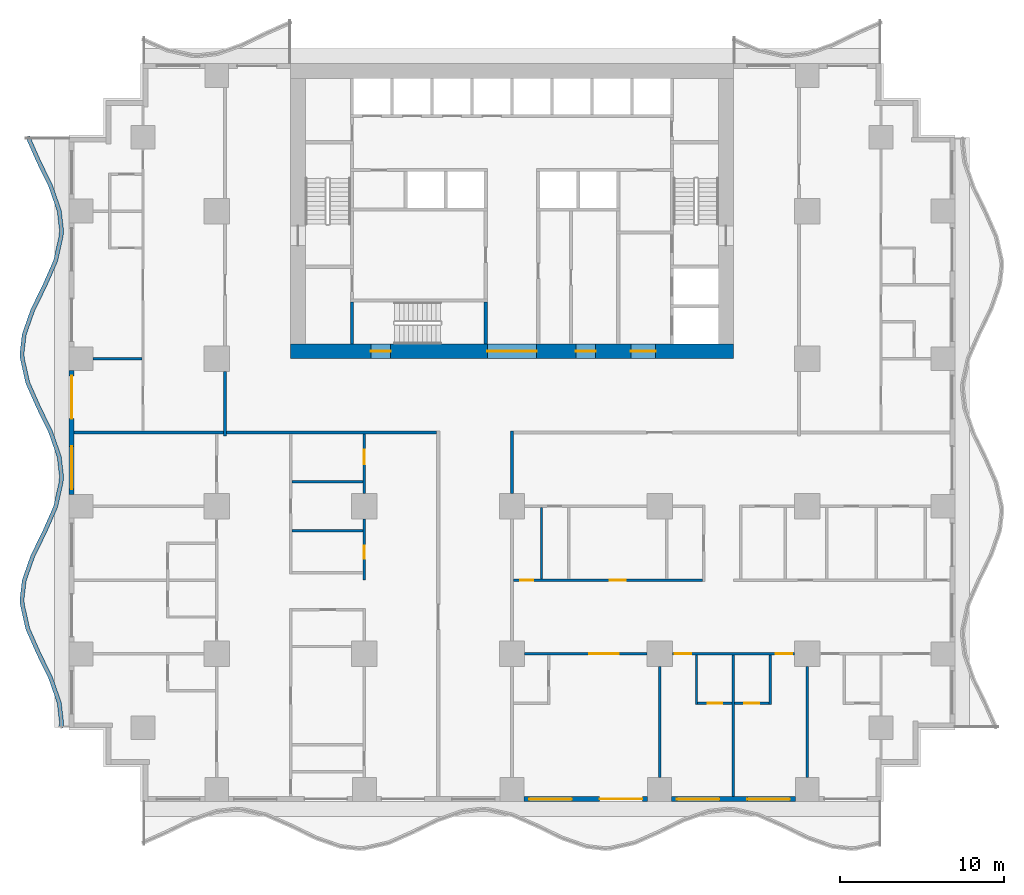
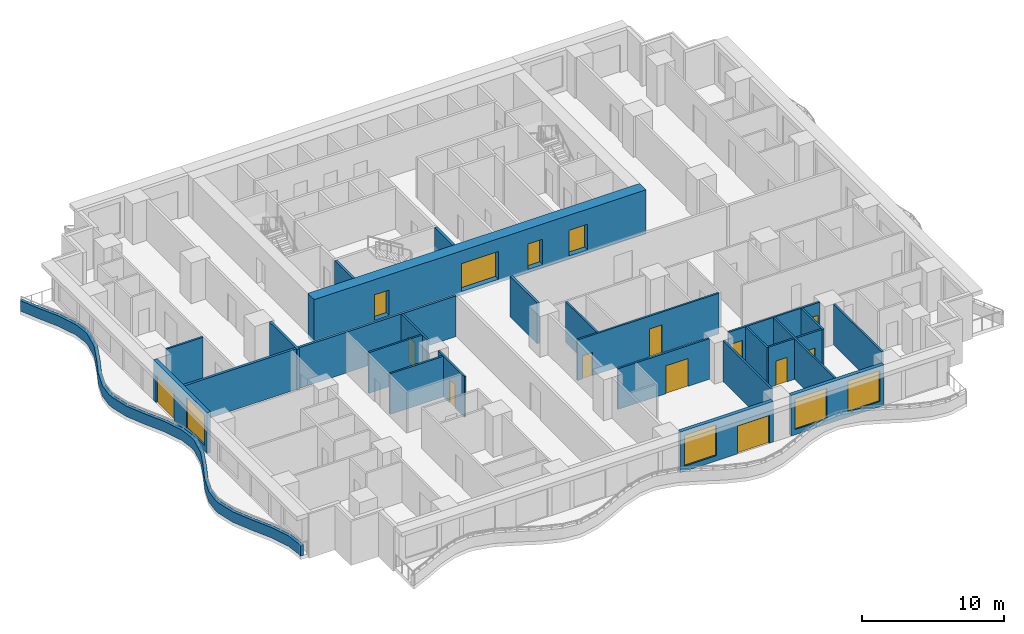
# One storey, part 3 of 14: 27 walls, 15 doors, 4 windows, 19 openings.
"""IFC4 building model written with IfcOpenShell, lengths in metres."""

from ifc_helpers import new_model, si_unit, direction, frame, frame_2d, origin, place, context, subcontext, project, spatial, polyline, rectangle, outline, extrude, material, layer, layer_set, type_object, element, fill, save


model = new_model("IFC4")

# Units and contexts
model_context = context("Model", 3, precision=1e-05, world=origin(), true_north=direction((0.0, 1.0)))
body_context = subcontext(model_context, "Body", "Model", "MODEL_VIEW")
ifc_project = project(units=[si_unit("LENGTHUNIT", "METRE"), si_unit("AREAUNIT", "SQUARE_METRE"), si_unit("VOLUMEUNIT", "CUBIC_METRE"), si_unit("PLANEANGLEUNIT", "RADIAN"), si_unit("MASSUNIT", "GRAM", prefix="KILO")], contexts=[model_context])

# Site, building, storey
site_placement = place(None, origin())
site = spatial("IfcSite", under=ifc_project, at=site_placement, CompositionType="ELEMENT")
building_placement = place(site_placement, origin())
building = spatial("IfcBuilding", under=site, at=building_placement, Name="Orbiselva Terraces", CompositionType="ELEMENT")
storey_placement = place(building_placement, frame((0.0, 0.0, 26.4)))
storey = spatial("IfcBuildingStorey", under=building, at=storey_placement, Name="L06", CompositionType="ELEMENT", Elevation=26.4)

# Wall, openings, doors
ifc_material_1 = material(Name="Concrete C80/95", Category="concrete")
ifc_layer_1 = layer(ifc_material_1, 0.9)
ifc_layer_set_1 = layer_set([ifc_layer_1], Name="Concrete C80/95")
wall_type_1 = type_object("IfcWallType", Name="CORE WALL 900", PredefinedType="SHEAR", material=ifc_layer_set_1)
wall_1_placement = place(storey_placement, frame((-13.5, 4.95, -0.3), z_axis=(0.0, 0.0, 1.0), x_axis=(1.0, 0.0, 0.0)))
wall_1 = element("IfcWall", 1, at=wall_1_placement, inside=storey, type_object=wall_type_1, Name="Core wall L06 south", PredefinedType="SHEAR", context=body_context, shape_type="SweptSolid", body=[
    extrude(rectangle(XDim=27.0, YDim=0.9, at=frame_2d((13.5, 0.0))), origin(), (0.0, 0.0, 1.0), 3.8),
])
opening_1_placement = place(wall_1_placement, frame((12.0, 0.0, 0.3)))
opening_1 = element("IfcOpeningElement", 2, at=opening_1_placement, cuts=wall_1, Name="Opening DL3000", PredefinedType="OPENING", context=body_context, shape_type="SweptSolid", body=[
    extrude(rectangle(XDim=3.0, YDim=2.4, at=frame_2d((1.5, 1.2))), frame((0.0, 0.46, 0.0), z_axis=(0.0, -1.0, 0.0), x_axis=(1.0, 0.0, 0.0)), (0.0, 0.0, 1.0), 0.92),
])
opening_2_placement = place(wall_1_placement, frame((4.9, 0.0, 0.3)))
opening_2 = element("IfcOpeningElement", 3, at=opening_2_placement, cuts=wall_1, Name="Opening DS1200", PredefinedType="OPENING", context=body_context, shape_type="SweptSolid", body=[
    extrude(rectangle(XDim=1.2, YDim=2.2, at=frame_2d((0.6, 1.1))), frame((0.0, 0.46, 0.0), z_axis=(0.0, -1.0, 0.0), x_axis=(1.0, 0.0, 0.0)), (0.0, 0.0, 1.0), 0.92),
])
opening_3_placement = place(wall_1_placement, frame((20.75, 0.0, 0.3)))
opening_3 = element("IfcOpeningElement", 4, at=opening_3_placement, cuts=wall_1, Name="Opening DF1500", PredefinedType="OPENING", context=body_context, shape_type="SweptSolid", body=[
    extrude(rectangle(XDim=1.5, YDim=2.2, at=frame_2d((0.75, 1.1))), frame((0.0, 0.46, 0.0), z_axis=(0.0, -1.0, 0.0), x_axis=(1.0, 0.0, 0.0)), (0.0, 0.0, 1.0), 0.92),
])
opening_4_placement = place(wall_1_placement, frame((17.4, 0.0, 0.3)))
opening_4 = element("IfcOpeningElement", 5, at=opening_4_placement, cuts=wall_1, Name="Opening DV1200", PredefinedType="OPENING", context=body_context, shape_type="SweptSolid", body=[
    extrude(rectangle(XDim=1.2, YDim=2.2, at=frame_2d((0.6, 1.1))), frame((0.0, 0.46, 0.0), z_axis=(0.0, -1.0, 0.0), x_axis=(1.0, 0.0, 0.0)), (0.0, 0.0, 1.0), 0.92),
])
ifc_material_2 = material(Name="Steel fire door", Category="steel")
door_type_1 = type_object("IfcDoorType", Name="FFL DOOR 1500", OperationType="DOUBLE_DOOR_SINGLE_SWING", PredefinedType="DOOR", material=ifc_material_2)
door_1_placement = place(opening_3_placement, frame((1.5, 0.0, 0.0), z_axis=(0.0, 0.0, 1.0), x_axis=(-1.0, 0.0, 0.0)))
door_1 = element("IfcDoor", 6, at=door_1_placement, inside=storey, type_object=door_type_1, Name="L06 FIRE-FIGHTING LOBBY door", OperationType="DOUBLE_DOOR_SINGLE_SWING", OverallHeight=2.2, OverallWidth=1.5, PredefinedType="DOOR", context=body_context, shape_type="SweptSolid", body=[
    extrude(rectangle(XDim=1.5, YDim=2.2, at=frame_2d((0.75, 1.1))), frame((0.0, 0.025, 0.0), z_axis=(0.0, -1.0, 0.0), x_axis=(1.0, 0.0, 0.0)), (0.0, 0.0, 1.0), 0.05),
])
fill(opening_3, door_1)
door_type_2 = type_object("IfcDoorType", Name="LOBBY DOOR 3000", OperationType="DOUBLE_DOOR_SINGLE_SWING", PredefinedType="DOOR", material=ifc_material_2)
door_2_placement = place(opening_1_placement, frame((3.0, 0.0, 0.0), z_axis=(0.0, 0.0, 1.0), x_axis=(-1.0, 0.0, 0.0)))
door_2 = element("IfcDoor", 7, at=door_2_placement, inside=storey, type_object=door_type_2, Name="L06 LIFT LOBBY door", OperationType="DOUBLE_DOOR_SINGLE_SWING", OverallHeight=2.4, OverallWidth=3.0, PredefinedType="DOOR", context=body_context, shape_type="SweptSolid", body=[
    extrude(rectangle(XDim=3.0, YDim=2.4, at=frame_2d((1.5, 1.2))), frame((0.0, 0.025, 0.0), z_axis=(0.0, -1.0, 0.0), x_axis=(1.0, 0.0, 0.0)), (0.0, 0.0, 1.0), 0.05),
])
fill(opening_1, door_2)
door_type_3 = type_object("IfcDoorType", Name="SERVICE DOOR 1200", OperationType="NOTDEFINED", PredefinedType="DOOR", material=ifc_material_2)
door_3_placement = place(opening_4_placement, frame((1.2, 0.0, 0.0), z_axis=(0.0, 0.0, 1.0), x_axis=(-1.0, 0.0, 0.0)))
door_3 = element("IfcDoor", 8, at=door_3_placement, inside=storey, type_object=door_type_3, Name="L06 SERVICE ROOM door", OperationType="SINGLE_SWING_RIGHT", OverallHeight=2.2, OverallWidth=1.2, PredefinedType="DOOR", context=body_context, shape_type="SweptSolid", body=[
    extrude(rectangle(XDim=1.2, YDim=2.2, at=frame_2d((0.6, 1.1))), frame((0.0, 0.025, 0.0), z_axis=(0.0, -1.0, 0.0), x_axis=(1.0, 0.0, 0.0)), (0.0, 0.0, 1.0), 0.05),
])
fill(opening_4, door_3)
door_type_4 = type_object("IfcDoorType", Name="STAIR DOOR 1200", OperationType="NOTDEFINED", PredefinedType="DOOR", material=ifc_material_2)
door_4_placement = place(opening_2_placement, frame((1.2, 0.0, 0.0), z_axis=(0.0, 0.0, 1.0), x_axis=(-1.0, 0.0, 0.0)))
door_4 = element("IfcDoor", 9, at=door_4_placement, inside=storey, type_object=door_type_4, Name="L06 EXIT STAIR S3 door", OperationType="SINGLE_SWING_LEFT", OverallHeight=2.2, OverallWidth=1.2, PredefinedType="DOOR", context=body_context, shape_type="SweptSolid", body=[
    extrude(rectangle(XDim=1.2, YDim=2.2, at=frame_2d((0.6, 1.1))), frame((0.0, 0.025, 0.0), z_axis=(0.0, -1.0, 0.0), x_axis=(1.0, 0.0, 0.0)), (0.0, 0.0, 1.0), 0.05),
])
fill(opening_2, door_4)

# Walls
ifc_material_3 = material(Name="Concrete C60/75", Category="concrete")
ifc_layer_2 = layer(ifc_material_3, 0.2)
ifc_layer_set_2 = layer_set([ifc_layer_2], Name="Concrete C60/75")
wall_type_2 = type_object("IfcWallType", Name="CORE-WALL-SHEAR-200", PredefinedType="SHEAR", material=ifc_layer_set_2)
for number, where, z_axis, x_axis, name in (
    (10, (-9.75, 5.4, 0.0), (0.0, 0.0, 1.0), (0.0, 1.0, 0.0), "L06 core wall 03"),
    (11, (-1.6, 5.4, 0.0), (0.0, 0.0, 1.0), (0.0, 1.0, 0.0), "L06 core wall 19"),
):
    element("IfcWall", number, at=place(storey_placement, frame(where, z_axis=z_axis, x_axis=x_axis)), inside=storey, type_object=wall_type_2, Name=name, PredefinedType="SHEAR", context=body_context, shape_type="SweptSolid", body=[
        extrude(rectangle(XDim=2.55, YDim=0.2, at=frame_2d((1.275, 0.0))), origin(), (0.0, 0.0, 1.0), 3.5),
    ])
ifc_material_4 = material(Name="Concrete C40/50", Category="concrete")
ifc_layer_3 = layer(ifc_material_4, 0.25)
ifc_layer_set_3 = layer_set([ifc_layer_3], Name="Concrete C40/50")
wall_type_3 = type_object("IfcWallType", Name="ENV-PLANTER-250x900", PredefinedType="USERDEFINED", material=ifc_layer_set_3)
wall_2_placement = place(storey_placement, origin())
element("IfcWall", 12, at=wall_2_placement, inside=storey, type_object=wall_type_3, Name="Balcony planter L06 W", ObjectType="PLANTER", PredefinedType="USERDEFINED", context=body_context, shape_type="SweptSolid", body=[
    extrude(outline(polyline([(-29.648528, 18.0), (-28.987721, 16.5), (-28.255211, 15.0), (-27.730792, 13.5), (-27.6, 12.375), (-27.614774, 12.0), (-27.951472, 10.5), (-28.612279, 9.0), (-29.344789, 7.5), (-29.869208, 6.0), (-30.0, 4.875), (-29.985226, 4.5), (-29.648528, 3.0), (-28.987721, 1.5), (-28.255211, 0.0), (-27.730792, -1.5), (-27.6, -2.625), (-27.614774, -3.0), (-27.951472, -4.5), (-28.612279, -6.0), (-29.344789, -7.5), (-29.869208, -9.0), (-30.0, -10.125), (-29.985226, -10.5), (-29.648528, -12.0), (-28.987721, -13.5), (-28.255211, -15.0), (-27.730792, -16.5), (-27.6, -17.625), (-27.614774, -18.0), (-27.364968, -18.009842), (-27.349429, -17.615428), (-27.485662, -16.443629), (-28.024089, -14.90356), (-28.760919, -13.394714), (-29.40993, -11.921492), (-29.736315, -10.467435), (-29.749429, -10.134572), (-29.624078, -9.056371), (-29.113667, -7.59644), (-28.385477, -6.105286), (-27.712874, -4.578508), (-27.365863, -3.032565), (-27.349429, -2.615428), (-27.485662, -1.443629), (-28.024089, 0.09644), (-28.760919, 1.605286), (-29.40993, 3.078508), (-29.736315, 4.532565), (-29.749429, 4.865428), (-29.624078, 5.943629), (-29.113667, 7.40356), (-28.385477, 8.894714), (-27.712874, 10.421492), (-27.365863, 11.967435), (-27.349429, 12.384572), (-27.485662, 13.556371), (-28.024089, 15.09644), (-28.760919, 16.605286), (-29.419745, 18.100788), (-29.648528, 18.0)])), origin(), (0.0, 0.0, 1.0), 0.9),
])

# Wall, openings, door, window
ifc_material_5 = material(Name="Terracotta cladding on masonry backing", Category="masonry")
ifc_layer_4 = layer(ifc_material_5, 0.3)
ifc_layer_set_4 = layer_set([ifc_layer_4], Name="Terracotta cladding on masonry backing")
wall_type_4 = type_object("IfcWallType", Name="ENV-WALL-TERRACOTTA-300", PredefinedType="SOLIDWALL", material=ifc_layer_set_4)
wall_3_placement = place(storey_placement, frame((8.275, -22.35, 0.0), z_axis=(0.0, 0.0, 1.0), x_axis=(-1.0, 0.0, 0.0)))
wall_3 = element("IfcWall", 13, at=wall_3_placement, inside=storey, type_object=wall_type_4, Name="Facade wall L06 S", PredefinedType="SOLIDWALL", context=body_context, shape_type="SweptSolid", body=[
    extrude(rectangle(XDim=7.55, YDim=0.3, at=frame_2d((3.775, 0.0))), origin(), (0.0, 0.0, 1.0), 3.5),
])
opening_5_placement = place(wall_3_placement, frame((4.625, 0.0, 0.45)))
opening_5 = element("IfcOpeningElement", 14, at=opening_5_placement, cuts=wall_3, Name="Opening WN1", PredefinedType="OPENING", context=body_context, shape_type="SweptSolid", body=[
    extrude(rectangle(XDim=2.6, YDim=2.65, at=frame_2d((1.3, 1.325))), frame((0.0, 0.16, 0.0), z_axis=(0.0, -1.0, 0.0), x_axis=(1.0, 0.0, 0.0)), (0.0, 0.0, 1.0), 0.32),
])
opening_6_placement = place(wall_3_placement, frame((0.325, 0.0, 0.0)))
opening_6 = element("IfcOpeningElement", 15, at=opening_6_placement, cuts=wall_3, Name="Opening Z1-B-E03", PredefinedType="OPENING", context=body_context, shape_type="SweptSolid", body=[
    extrude(rectangle(XDim=2.6, YDim=2.4, at=frame_2d((1.3, 1.2))), frame((0.0, 0.16, 0.0), z_axis=(0.0, -1.0, 0.0), x_axis=(1.0, 0.0, 0.0)), (0.0, 0.0, 1.0), 0.32),
])
ifc_material_6 = material(Name="Clear low-e glazing in aluminium frame", Category="aluminium")
door_type_5 = type_object("IfcDoorType", Name="BALCONY DOOR 2600 X 2400", OperationType="DOUBLE_DOOR_SLIDING", PredefinedType="DOOR", material=ifc_material_6)
door_5_placement = place(opening_6_placement, origin())
door_5 = element("IfcDoor", 16, at=door_5_placement, inside=storey, type_object=door_type_5, Name="Z1-B-E03", OperationType="SINGLE_SWING_LEFT", OverallHeight=2.4, OverallWidth=2.6, PredefinedType="DOOR", context=body_context, shape_type="SweptSolid", body=[
    extrude(rectangle(XDim=2.6, YDim=2.4, at=frame_2d((1.3, 1.2))), frame((0.0, 0.025, 0.0), z_axis=(0.0, -1.0, 0.0), x_axis=(1.0, 0.0, 0.0)), (0.0, 0.0, 1.0), 0.05),
])
fill(opening_6, door_5)
window_type = type_object("IfcWindowType", Name="WINDOW 2600 X 2650 S450", PartitioningType="TRIPLE_PANEL_VERTICAL", PredefinedType="WINDOW", material=ifc_material_6)
window_1_placement = place(opening_5_placement, origin())
window_1 = element("IfcWindow", 17, at=window_1_placement, inside=storey, type_object=window_type, Name="Window L06 S", OverallHeight=2.65, OverallWidth=2.6, PartitioningType="SINGLE_PANEL", PredefinedType="WINDOW", context=body_context, shape_type="SweptSolid", body=[
    extrude(rectangle(XDim=2.6, YDim=2.65, at=frame_2d((1.3, 1.325))), frame((0.0, 0.03, 0.0), z_axis=(0.0, -1.0, 0.0), x_axis=(1.0, 0.0, 0.0)), (0.0, 0.0, 1.0), 0.06),
])
fill(opening_5, window_1)

# Wall, openings, windows
wall_4_placement = place(storey_placement, frame((17.275, -22.35, 0.0), z_axis=(0.0, 0.0, 1.0), x_axis=(-1.0, 0.0, 0.0)))
wall_4 = element("IfcWall", 18, at=wall_4_placement, inside=storey, type_object=wall_type_4, Name="Facade wall L06 S", PredefinedType="SOLIDWALL", context=body_context, shape_type="SweptSolid", body=[
    extrude(rectangle(XDim=7.55, YDim=0.3, at=frame_2d((3.775, 0.0))), origin(), (0.0, 0.0, 1.0), 3.5),
])
opening_7_placement = place(wall_4_placement, frame((4.625, 0.0, 0.45)))
opening_7 = element("IfcOpeningElement", 19, at=opening_7_placement, cuts=wall_4, Name="Opening WN1", PredefinedType="OPENING", context=body_context, shape_type="SweptSolid", body=[
    extrude(rectangle(XDim=2.6, YDim=2.65, at=frame_2d((1.3, 1.325))), frame((0.0, 0.16, 0.0), z_axis=(0.0, -1.0, 0.0), x_axis=(1.0, 0.0, 0.0)), (0.0, 0.0, 1.0), 0.32),
])
opening_8_placement = place(wall_4_placement, frame((0.325, 0.0, 0.45)))
opening_8 = element("IfcOpeningElement", 20, at=opening_8_placement, cuts=wall_4, Name="Opening WN1", PredefinedType="OPENING", context=body_context, shape_type="SweptSolid", body=[
    extrude(rectangle(XDim=2.6, YDim=2.65, at=frame_2d((1.3, 1.325))), frame((0.0, 0.16, 0.0), z_axis=(0.0, -1.0, 0.0), x_axis=(1.0, 0.0, 0.0)), (0.0, 0.0, 1.0), 0.32),
])
window_2_placement = place(opening_7_placement, origin())
window_2 = element("IfcWindow", 21, at=window_2_placement, inside=storey, type_object=window_type, Name="Window L06 S", OverallHeight=2.65, OverallWidth=2.6, PartitioningType="SINGLE_PANEL", PredefinedType="WINDOW", context=body_context, shape_type="SweptSolid", body=[
    extrude(rectangle(XDim=2.6, YDim=2.65, at=frame_2d((1.3, 1.325))), frame((0.0, 0.03, 0.0), z_axis=(0.0, -1.0, 0.0), x_axis=(1.0, 0.0, 0.0)), (0.0, 0.0, 1.0), 0.06),
])
fill(opening_7, window_2)
window_3_placement = place(opening_8_placement, origin())
window_3 = element("IfcWindow", 22, at=window_3_placement, inside=storey, type_object=window_type, Name="Window L06 S", OverallHeight=2.65, OverallWidth=2.6, PartitioningType="SINGLE_PANEL", PredefinedType="WINDOW", context=body_context, shape_type="SweptSolid", body=[
    extrude(rectangle(XDim=2.6, YDim=2.65, at=frame_2d((1.3, 1.325))), frame((0.0, 0.03, 0.0), z_axis=(0.0, -1.0, 0.0), x_axis=(1.0, 0.0, 0.0)), (0.0, 0.0, 1.0), 0.06),
])
fill(opening_8, window_3)

# Wall, openings, door, window
wall_5_placement = place(storey_placement, frame((-26.85, -3.775, 0.0), z_axis=(0.0, 0.0, 1.0), x_axis=(0.0, 1.0, 0.0)))
wall_5 = element("IfcWall", 23, at=wall_5_placement, inside=storey, type_object=wall_type_4, Name="Facade wall L06 W", PredefinedType="SOLIDWALL", context=body_context, shape_type="SweptSolid", body=[
    extrude(rectangle(XDim=7.55, YDim=0.3, at=frame_2d((3.775, 0.0))), origin(), (0.0, 0.0, 1.0), 3.5),
])
opening_9_placement = place(wall_5_placement, frame((4.625, 0.0, 0.0)))
opening_9 = element("IfcOpeningElement", 24, at=opening_9_placement, cuts=wall_5, Name="Opening Z1-B-E11", PredefinedType="OPENING", context=body_context, shape_type="SweptSolid", body=[
    extrude(rectangle(XDim=2.6, YDim=2.4, at=frame_2d((1.3, 1.2))), frame((0.0, 0.16, 0.0), z_axis=(0.0, -1.0, 0.0), x_axis=(1.0, 0.0, 0.0)), (0.0, 0.0, 1.0), 0.32),
])
opening_10_placement = place(wall_5_placement, frame((0.325, 0.0, 0.45)))
opening_10 = element("IfcOpeningElement", 25, at=opening_10_placement, cuts=wall_5, Name="Opening WN1", PredefinedType="OPENING", context=body_context, shape_type="SweptSolid", body=[
    extrude(rectangle(XDim=2.6, YDim=2.65, at=frame_2d((1.3, 1.325))), frame((0.0, 0.16, 0.0), z_axis=(0.0, -1.0, 0.0), x_axis=(1.0, 0.0, 0.0)), (0.0, 0.0, 1.0), 0.32),
])
door_6_placement = place(opening_9_placement, origin())
door_6 = element("IfcDoor", 26, at=door_6_placement, inside=storey, type_object=door_type_5, Name="Z1-B-E11", OperationType="SINGLE_SWING_LEFT", OverallHeight=2.4, OverallWidth=2.6, PredefinedType="DOOR", context=body_context, shape_type="SweptSolid", body=[
    extrude(rectangle(XDim=2.6, YDim=2.4, at=frame_2d((1.3, 1.2))), frame((0.0, 0.025, 0.0), z_axis=(0.0, -1.0, 0.0), x_axis=(1.0, 0.0, 0.0)), (0.0, 0.0, 1.0), 0.05),
])
fill(opening_9, door_6)
window_4_placement = place(opening_10_placement, origin())
window_4 = element("IfcWindow", 27, at=window_4_placement, inside=storey, type_object=window_type, Name="Window L06 W", OverallHeight=2.65, OverallWidth=2.6, PartitioningType="SINGLE_PANEL", PredefinedType="WINDOW", context=body_context, shape_type="SweptSolid", body=[
    extrude(rectangle(XDim=2.6, YDim=2.65, at=frame_2d((1.3, 1.325))), frame((0.0, 0.03, 0.0), z_axis=(0.0, -1.0, 0.0), x_axis=(1.0, 0.0, 0.0)), (0.0, 0.0, 1.0), 0.06),
])
fill(opening_10, window_4)

# Walls
ifc_material_7 = material(Name="Plasterboard on steel stud partition", Category="steel")
ifc_layer_5 = layer(ifc_material_7, 0.2)
ifc_layer_set_5 = layer_set([ifc_layer_5], Name="Plasterboard on steel stud partition")
wall_type_5 = type_object("IfcWallType", Name="UNIT-ENTRANCE-WALL-200", PredefinedType="PARTITIONING", material=ifc_layer_set_5)
wall_6_placement = place(storey_placement, frame((-17.4, 0.0, 0.0), z_axis=(0.0, 0.0, 1.0), x_axis=(1.0, 0.0, 0.0)))
element("IfcWall", 28, at=wall_6_placement, inside=storey, type_object=wall_type_5, Name="PARTITION L06-028", PredefinedType="PARTITIONING", context=body_context, shape_type="SweptSolid", body=[
    extrude(rectangle(XDim=12.8, YDim=0.2, at=frame_2d((6.4, 0.0))), origin(), (0.0, 0.0, 1.0), 3.5),
])
wall_7_placement = place(storey_placement, frame((-17.5, -0.2, 0.0), z_axis=(0.0, 0.0, 1.0), x_axis=(0.0, 1.0, 0.0)))
element("IfcWall", 29, at=wall_7_placement, inside=storey, type_object=wall_type_5, Name="PARTITION L06-049", PredefinedType="PARTITIONING", context=body_context, shape_type="SweptSolid", body=[
    extrude(rectangle(XDim=3.925, YDim=0.2, at=frame_2d((1.9625, 0.0))), origin(), (0.0, 0.0, 1.0), 3.5),
])
wall_8_placement = place(storey_placement, frame((0.0, -3.725, 0.0), z_axis=(0.0, 0.0, 1.0), x_axis=(0.0, 1.0, 0.0)))
element("IfcWall", 30, at=wall_8_placement, inside=storey, type_object=wall_type_5, Name="PARTITION L06-061", PredefinedType="PARTITIONING", context=body_context, shape_type="SweptSolid", body=[
    extrude(rectangle(XDim=3.825, YDim=0.2, at=frame_2d((1.9125, 0.0))), origin(), (0.0, 0.0, 1.0), 3.5),
])

# Wall, opening, door
ifc_layer_6 = layer(ifc_material_7, 0.15)
ifc_layer_set_6 = layer_set([ifc_layer_6], Name="Plasterboard on steel stud partition")
wall_type_6 = type_object("IfcWallType", Name="UNIT-PARTITION-150", PredefinedType="PARTITIONING", material=ifc_layer_set_6)
wall_9_placement = place(storey_placement, frame((11.325, -16.5, 0.0), z_axis=(0.0, 0.0, 1.0), x_axis=(1.0, 0.0, 0.0)))
wall_9 = element("IfcWall", 31, at=wall_9_placement, inside=storey, type_object=wall_type_6, Name="PARTITION L06-004", PredefinedType="PARTITIONING", context=body_context, shape_type="SweptSolid", body=[
    extrude(rectangle(XDim=2.1, YDim=0.15, at=frame_2d((1.05, 0.0))), origin(), (0.0, 0.0, 1.0), 3.5),
])
opening_11_placement = place(wall_9_placement, frame((0.6, 0.0, 0.0)))
opening_11 = element("IfcOpeningElement", 32, at=opening_11_placement, cuts=wall_9, Name="Opening Z1-B-41", PredefinedType="OPENING", context=body_context, shape_type="SweptSolid", body=[
    extrude(rectangle(XDim=0.9, YDim=2.1, at=frame_2d((0.45, 1.05))), frame((0.0, 0.085, 0.0), z_axis=(0.0, -1.0, 0.0), x_axis=(1.0, 0.0, 0.0)), (0.0, 0.0, 1.0), 0.17),
])
ifc_material_8 = material(Name="Painted timber door leaf", Category="wood")
door_type_6 = type_object("IfcDoorType", Name="BATH DOOR 900", OperationType="NOTDEFINED", PredefinedType="DOOR", material=ifc_material_8)
door_7_placement = place(opening_11_placement, origin())
door_7 = element("IfcDoor", 33, at=door_7_placement, inside=storey, type_object=door_type_6, Name="Z1-B-41", OperationType="SINGLE_SWING_LEFT", OverallHeight=2.1, OverallWidth=0.9, PredefinedType="DOOR", context=body_context, shape_type="SweptSolid", body=[
    extrude(rectangle(XDim=0.9, YDim=2.1, at=frame_2d((0.45, 1.05))), frame((0.0, 0.025, 0.0), z_axis=(0.0, -1.0, 0.0), x_axis=(1.0, 0.0, 0.0)), (0.0, 0.0, 1.0), 0.05),
])
fill(opening_11, door_7)

wall_10_placement = place(storey_placement, frame((13.575, -16.5, 0.0), z_axis=(0.0, 0.0, 1.0), x_axis=(1.0, 0.0, 0.0)))
wall_10 = element("IfcWall", 34, at=wall_10_placement, inside=storey, type_object=wall_type_6, Name="PARTITION L06-005", PredefinedType="PARTITIONING", context=body_context, shape_type="SweptSolid", body=[
    extrude(rectangle(XDim=2.1, YDim=0.15, at=frame_2d((1.05, 0.0))), origin(), (0.0, 0.0, 1.0), 3.5),
])
opening_12_placement = place(wall_10_placement, frame((0.6, 0.0, 0.0)))
opening_12 = element("IfcOpeningElement", 35, at=opening_12_placement, cuts=wall_10, Name="Opening Z1-B-43", PredefinedType="OPENING", context=body_context, shape_type="SweptSolid", body=[
    extrude(rectangle(XDim=0.9, YDim=2.1, at=frame_2d((0.45, 1.05))), frame((0.0, 0.085, 0.0), z_axis=(0.0, -1.0, 0.0), x_axis=(1.0, 0.0, 0.0)), (0.0, 0.0, 1.0), 0.17),
])
door_8_placement = place(opening_12_placement, origin())
door_8 = element("IfcDoor", 36, at=door_8_placement, inside=storey, type_object=door_type_6, Name="Z1-B-43", OperationType="SINGLE_SWING_LEFT", OverallHeight=2.1, OverallWidth=0.9, PredefinedType="DOOR", context=body_context, shape_type="SweptSolid", body=[
    extrude(rectangle(XDim=0.9, YDim=2.1, at=frame_2d((0.45, 1.05))), frame((0.0, 0.025, 0.0), z_axis=(0.0, -1.0, 0.0), x_axis=(1.0, 0.0, 0.0)), (0.0, 0.0, 1.0), 0.05),
])
fill(opening_12, door_8)

wall_11_placement = place(storey_placement, frame((8.225, -13.5, 0.0), z_axis=(0.0, 0.0, 1.0), x_axis=(-1.0, 0.0, 0.0)))
wall_11 = element("IfcWall", 37, at=wall_11_placement, inside=storey, type_object=wall_type_6, Name="PARTITION L06-009", PredefinedType="PARTITIONING", context=body_context, shape_type="SweptSolid", body=[
    extrude(rectangle(XDim=7.45, YDim=0.15, at=frame_2d((3.725, 0.0))), origin(), (0.0, 0.0, 1.0), 3.5),
])
opening_13_placement = place(wall_11_placement, frame((1.725, 0.0, 0.0)))
opening_13 = element("IfcOpeningElement", 38, at=opening_13_placement, cuts=wall_11, Name="Opening Z1-B-38", PredefinedType="OPENING", context=body_context, shape_type="SweptSolid", body=[
    extrude(rectangle(XDim=1.8, YDim=2.4, at=frame_2d((0.9, 1.2))), frame((0.0, 0.085, 0.0), z_axis=(0.0, -1.0, 0.0), x_axis=(1.0, 0.0, 0.0)), (0.0, 0.0, 1.0), 0.17),
])
door_type_7 = type_object("IfcDoorType", Name="DOUBLE DOOR 1800", OperationType="NOTDEFINED", PredefinedType="DOOR", material=ifc_material_8)
door_9_placement = place(opening_13_placement, origin())
door_9 = element("IfcDoor", 39, at=door_9_placement, inside=storey, type_object=door_type_7, Name="Z1-B-38", OperationType="DOUBLE_DOOR_SINGLE_SWING", OverallHeight=2.4, OverallWidth=1.8, PredefinedType="DOOR", context=body_context, shape_type="SweptSolid", body=[
    extrude(rectangle(XDim=1.8, YDim=2.4, at=frame_2d((0.9, 1.2))), frame((0.0, 0.025, 0.0), z_axis=(0.0, -1.0, 0.0), x_axis=(1.0, 0.0, 0.0)), (0.0, 0.0, 1.0), 0.05),
])
fill(opening_13, door_9)

# Wall, openings, doors
wall_12_placement = place(storey_placement, frame((17.225, -13.5, 0.0), z_axis=(0.0, 0.0, 1.0), x_axis=(-1.0, 0.0, 0.0)))
wall_12 = element("IfcWall", 40, at=wall_12_placement, inside=storey, type_object=wall_type_6, Name="PARTITION L06-010", PredefinedType="PARTITIONING", context=body_context, shape_type="SweptSolid", body=[
    extrude(rectangle(XDim=7.45, YDim=0.15, at=frame_2d((3.725, 0.0))), origin(), (0.0, 0.0, 1.0), 3.5),
])
opening_14_placement = place(wall_12_placement, frame((6.3, 0.0, 0.0)))
opening_14 = element("IfcOpeningElement", 41, at=opening_14_placement, cuts=wall_12, Name="Opening Z1-B-40", PredefinedType="OPENING", context=body_context, shape_type="SweptSolid", body=[
    extrude(rectangle(XDim=1.0, YDim=2.4, at=frame_2d((0.5, 1.2))), frame((0.0, 0.085, 0.0), z_axis=(0.0, -1.0, 0.0), x_axis=(1.0, 0.0, 0.0)), (0.0, 0.0, 1.0), 0.17),
])
opening_15_placement = place(wall_12_placement, frame((0.15, 0.0, 0.0)))
opening_15 = element("IfcOpeningElement", 42, at=opening_15_placement, cuts=wall_12, Name="Opening Z1-B-42", PredefinedType="OPENING", context=body_context, shape_type="SweptSolid", body=[
    extrude(rectangle(XDim=1.0, YDim=2.4, at=frame_2d((0.5, 1.2))), frame((0.0, 0.085, 0.0), z_axis=(0.0, -1.0, 0.0), x_axis=(1.0, 0.0, 0.0)), (0.0, 0.0, 1.0), 0.17),
])
door_type_8 = type_object("IfcDoorType", Name="ROOM DOOR 1000", OperationType="NOTDEFINED", PredefinedType="DOOR", material=ifc_material_8)
door_10_placement = place(opening_14_placement, origin())
door_10 = element("IfcDoor", 43, at=door_10_placement, inside=storey, type_object=door_type_8, Name="Z1-B-40", OperationType="SINGLE_SWING_RIGHT", OverallHeight=2.4, OverallWidth=1.0, PredefinedType="DOOR", context=body_context, shape_type="SweptSolid", body=[
    extrude(rectangle(XDim=1.0, YDim=2.4, at=frame_2d((0.5, 1.2))), frame((0.0, 0.025, 0.0), z_axis=(0.0, -1.0, 0.0), x_axis=(1.0, 0.0, 0.0)), (0.0, 0.0, 1.0), 0.05),
])
fill(opening_14, door_10)
door_11_placement = place(opening_15_placement, origin())
door_11 = element("IfcDoor", 44, at=door_11_placement, inside=storey, type_object=door_type_8, Name="Z1-B-42", OperationType="SINGLE_SWING_LEFT", OverallHeight=2.4, OverallWidth=1.0, PredefinedType="DOOR", context=body_context, shape_type="SweptSolid", body=[
    extrude(rectangle(XDim=1.0, YDim=2.4, at=frame_2d((0.5, 1.2))), frame((0.0, 0.025, 0.0), z_axis=(0.0, -1.0, 0.0), x_axis=(1.0, 0.0, 0.0)), (0.0, 0.0, 1.0), 0.05),
])
fill(opening_15, door_11)

wall_13_placement = place(storey_placement, frame((0.1, -9.0, 0.0), z_axis=(0.0, 0.0, 1.0), x_axis=(1.0, 0.0, 0.0)))
wall_13 = element("IfcWall", 45, at=wall_13_placement, inside=storey, type_object=wall_type_6, Name="PARTITION L06-017", PredefinedType="PARTITIONING", context=body_context, shape_type="SweptSolid", body=[
    extrude(rectangle(XDim=11.525, YDim=0.15, at=frame_2d((5.7625, 0.0))), origin(), (0.0, 0.0, 1.0), 3.5),
])
opening_16_placement = place(wall_13_placement, frame((0.4, 0.0, 0.0)))
opening_16 = element("IfcOpeningElement", 46, at=opening_16_placement, cuts=wall_13, Name="Opening Z1-B-29", PredefinedType="OPENING", context=body_context, shape_type="SweptSolid", body=[
    extrude(rectangle(XDim=0.8, YDim=2.0, at=frame_2d((0.4, 1.0))), frame((0.0, 0.085, 0.0), z_axis=(0.0, -1.0, 0.0), x_axis=(1.0, 0.0, 0.0)), (0.0, 0.0, 1.0), 0.17),
])
opening_17_placement = place(wall_13_placement, frame((5.85, 0.0, 0.0)))
opening_17 = element("IfcOpeningElement", 47, at=opening_17_placement, cuts=wall_13, Name="Opening Z1-B-31", PredefinedType="OPENING", context=body_context, shape_type="SweptSolid", body=[
    extrude(rectangle(XDim=1.0, YDim=2.4, at=frame_2d((0.5, 1.2))), frame((0.0, 0.085, 0.0), z_axis=(0.0, -1.0, 0.0), x_axis=(1.0, 0.0, 0.0)), (0.0, 0.0, 1.0), 0.17),
])
door_12_placement = place(opening_17_placement, origin())
door_12 = element("IfcDoor", 48, at=door_12_placement, inside=storey, type_object=door_type_8, Name="Z1-B-31", OperationType="SINGLE_SWING_RIGHT", OverallHeight=2.4, OverallWidth=1.0, PredefinedType="DOOR", context=body_context, shape_type="SweptSolid", body=[
    extrude(rectangle(XDim=1.0, YDim=2.4, at=frame_2d((0.5, 1.2))), frame((0.0, 0.025, 0.0), z_axis=(0.0, -1.0, 0.0), x_axis=(1.0, 0.0, 0.0)), (0.0, 0.0, 1.0), 0.05),
])
fill(opening_17, door_12)
door_type_9 = type_object("IfcDoorType", Name="STORE DOOR 800", OperationType="NOTDEFINED", PredefinedType="DOOR", material=ifc_material_8)
door_13_placement = place(opening_16_placement, origin())
door_13 = element("IfcDoor", 49, at=door_13_placement, inside=storey, type_object=door_type_9, Name="Z1-B-29", OperationType="SINGLE_SWING_LEFT", OverallHeight=2.0, OverallWidth=0.8, PredefinedType="DOOR", context=body_context, shape_type="SweptSolid", body=[
    extrude(rectangle(XDim=0.8, YDim=2.0, at=frame_2d((0.4, 1.0))), frame((0.0, 0.025, 0.0), z_axis=(0.0, -1.0, 0.0), x_axis=(1.0, 0.0, 0.0)), (0.0, 0.0, 1.0), 0.05),
])
fill(opening_16, door_13)

# Walls
for number, where, z_axis, x_axis, name in (
    (50, (-13.425, -6.0, 0.0), (0.0, 0.0, 1.0), (1.0, 0.0, 0.0), "PARTITION L06-021"),
    (51, (-13.425, -3.0, 0.0), (0.0, 0.0, 1.0), (1.0, 0.0, 0.0), "PARTITION L06-027"),
):
    element("IfcWall", number, at=place(storey_placement, frame(where, z_axis=z_axis, x_axis=x_axis)), inside=storey, type_object=wall_type_6, Name=name, PredefinedType="PARTITIONING", context=body_context, shape_type="SweptSolid", body=[
        extrude(rectangle(XDim=4.35, YDim=0.15, at=frame_2d((2.175, 0.0))), origin(), (0.0, 0.0, 1.0), 3.5),
    ])
wall_14_placement = place(storey_placement, frame((-25.55, 4.5, 0.0), z_axis=(0.0, 0.0, 1.0), x_axis=(1.0, 0.0, 0.0)))
element("IfcWall", 52, at=wall_14_placement, inside=storey, type_object=wall_type_6, Name="PARTITION L06-032", PredefinedType="PARTITIONING", context=body_context, shape_type="SweptSolid", body=[
    extrude(rectangle(XDim=2.975, YDim=0.15, at=frame_2d((1.4875, 0.0))), origin(), (0.0, 0.0, 1.0), 3.5),
])

# Wall, opening, door
wall_15_placement = place(storey_placement, frame((-9.0, -9.0, 0.0), z_axis=(0.0, 0.0, 1.0), x_axis=(0.0, 1.0, 0.0)))
wall_15 = element("IfcWall", 53, at=wall_15_placement, inside=storey, type_object=wall_type_6, Name="PARTITION L06-056", PredefinedType="PARTITIONING", context=body_context, shape_type="SweptSolid", body=[
    extrude(rectangle(XDim=3.725, YDim=0.15, at=frame_2d((1.8625, 0.0))), origin(), (0.0, 0.0, 1.0), 3.5),
])
opening_18_placement = place(wall_15_placement, frame((1.3, 0.0, 0.0)))
opening_18 = element("IfcOpeningElement", 54, at=opening_18_placement, cuts=wall_15, Name="Opening Z1-B-18", PredefinedType="OPENING", context=body_context, shape_type="SweptSolid", body=[
    extrude(rectangle(XDim=0.8, YDim=2.0, at=frame_2d((0.4, 1.0))), frame((0.0, 0.085, 0.0), z_axis=(0.0, -1.0, 0.0), x_axis=(1.0, 0.0, 0.0)), (0.0, 0.0, 1.0), 0.17),
])
door_14_placement = place(opening_18_placement, origin())
door_14 = element("IfcDoor", 55, at=door_14_placement, inside=storey, type_object=door_type_9, Name="Z1-B-18", OperationType="SINGLE_SWING_LEFT", OverallHeight=2.0, OverallWidth=0.8, PredefinedType="DOOR", context=body_context, shape_type="SweptSolid", body=[
    extrude(rectangle(XDim=0.8, YDim=2.0, at=frame_2d((0.4, 1.0))), frame((0.0, 0.025, 0.0), z_axis=(0.0, -1.0, 0.0), x_axis=(1.0, 0.0, 0.0)), (0.0, 0.0, 1.0), 0.05),
])
fill(opening_18, door_14)

wall_16_placement = place(storey_placement, frame((-9.0, -3.725, 0.0), z_axis=(0.0, 0.0, 1.0), x_axis=(0.0, 1.0, 0.0)))
wall_16 = element("IfcWall", 56, at=wall_16_placement, inside=storey, type_object=wall_type_6, Name="PARTITION L06-057", PredefinedType="PARTITIONING", context=body_context, shape_type="SweptSolid", body=[
    extrude(rectangle(XDim=3.625, YDim=0.15, at=frame_2d((1.8125, 0.0))), origin(), (0.0, 0.0, 1.0), 3.5),
])
opening_19_placement = place(wall_16_placement, frame((1.775, 0.0, 0.0)))
opening_19 = element("IfcOpeningElement", 57, at=opening_19_placement, cuts=wall_16, Name="Opening Z1-B-20", PredefinedType="OPENING", context=body_context, shape_type="SweptSolid", body=[
    extrude(rectangle(XDim=0.9, YDim=2.1, at=frame_2d((0.45, 1.05))), frame((0.0, 0.085, 0.0), z_axis=(0.0, -1.0, 0.0), x_axis=(1.0, 0.0, 0.0)), (0.0, 0.0, 1.0), 0.17),
])
door_type_10 = type_object("IfcDoorType", Name="SERVICE DOOR 900", OperationType="NOTDEFINED", PredefinedType="DOOR", material=ifc_material_8)
door_15_placement = place(opening_19_placement, origin())
door_15 = element("IfcDoor", 58, at=door_15_placement, inside=storey, type_object=door_type_10, Name="Z1-B-20", OperationType="SINGLE_SWING_RIGHT", OverallHeight=2.1, OverallWidth=0.9, PredefinedType="DOOR", context=body_context, shape_type="SweptSolid", body=[
    extrude(rectangle(XDim=0.9, YDim=2.1, at=frame_2d((0.45, 1.05))), frame((0.0, 0.025, 0.0), z_axis=(0.0, -1.0, 0.0), x_axis=(1.0, 0.0, 0.0)), (0.0, 0.0, 1.0), 0.05),
])
fill(opening_19, door_15)

# Walls
wall_17_placement = place(storey_placement, frame((1.8, -8.925, 0.0), z_axis=(0.0, 0.0, 1.0), x_axis=(0.0, 1.0, 0.0)))
element("IfcWall", 59, at=wall_17_placement, inside=storey, type_object=wall_type_6, Name="PARTITION L06-062", PredefinedType="PARTITIONING", context=body_context, shape_type="SweptSolid", body=[
    extrude(rectangle(XDim=4.35, YDim=0.15, at=frame_2d((2.175, 0.0))), origin(), (0.0, 0.0, 1.0), 3.5),
])
wall_18_placement = place(storey_placement, frame((9.0, -21.05, 0.0), z_axis=(0.0, 0.0, 1.0), x_axis=(0.0, 1.0, 0.0)))
element("IfcWall", 60, at=wall_18_placement, inside=storey, type_object=wall_type_6, Name="PARTITION L06-065", PredefinedType="PARTITIONING", context=body_context, shape_type="SweptSolid", body=[
    extrude(rectangle(XDim=6.775, YDim=0.15, at=frame_2d((3.3875, 0.0))), origin(), (0.0, 0.0, 1.0), 3.5),
])
wall_19_placement = place(storey_placement, frame((11.25, -16.575, 0.0), z_axis=(0.0, 0.0, 1.0), x_axis=(0.0, 1.0, 0.0)))
element("IfcWall", 61, at=wall_19_placement, inside=storey, type_object=wall_type_6, Name="PARTITION L06-067", PredefinedType="PARTITIONING", context=body_context, shape_type="SweptSolid", body=[
    extrude(rectangle(XDim=3.0, YDim=0.15, at=frame_2d((1.5, 0.0))), origin(), (0.0, 0.0, 1.0), 3.5),
])
wall_20_placement = place(storey_placement, frame((13.5, -22.2, 0.0), z_axis=(0.0, 0.0, 1.0), x_axis=(0.0, 1.0, 0.0)))
element("IfcWall", 62, at=wall_20_placement, inside=storey, type_object=wall_type_6, Name="PARTITION L06-069", PredefinedType="PARTITIONING", context=body_context, shape_type="SweptSolid", body=[
    extrude(rectangle(XDim=8.625, YDim=0.15, at=frame_2d((4.3125, 0.0))), origin(), (0.0, 0.0, 1.0), 3.5),
])
wall_21_placement = place(storey_placement, frame((15.75, -16.575, 0.0), z_axis=(0.0, 0.0, 1.0), x_axis=(0.0, 1.0, 0.0)))
element("IfcWall", 63, at=wall_21_placement, inside=storey, type_object=wall_type_6, Name="PARTITION L06-071", PredefinedType="PARTITIONING", context=body_context, shape_type="SweptSolid", body=[
    extrude(rectangle(XDim=3.0, YDim=0.15, at=frame_2d((1.5, 0.0))), origin(), (0.0, 0.0, 1.0), 3.5),
])
wall_22_placement = place(storey_placement, frame((18.0, -21.05, 0.0), z_axis=(0.0, 0.0, 1.0), x_axis=(0.0, 1.0, 0.0)))
element("IfcWall", 64, at=wall_22_placement, inside=storey, type_object=wall_type_6, Name="PARTITION L06-076", PredefinedType="PARTITIONING", context=body_context, shape_type="SweptSolid", body=[
    extrude(rectangle(XDim=6.775, YDim=0.15, at=frame_2d((3.3875, 0.0))), origin(), (0.0, 0.0, 1.0), 3.5),
])
ifc_layer_7 = layer(ifc_material_7, 0.2)
ifc_layer_set_7 = layer_set([ifc_layer_7], Name="Plasterboard on steel stud partition")
wall_type_7 = type_object("IfcWallType", Name="UNIT-PARTY-WALL-200", PredefinedType="PARTITIONING", material=ifc_layer_set_7)
wall_23_placement = place(storey_placement, frame((-26.7, 0.0, 0.0), z_axis=(0.0, 0.0, 1.0), x_axis=(1.0, 0.0, 0.0)))
element("IfcWall", 65, at=wall_23_placement, inside=storey, type_object=wall_type_7, Name="PARTITION L06-030", PredefinedType="PARTITIONING", context=body_context, shape_type="SweptSolid", body=[
    extrude(rectangle(XDim=9.1, YDim=0.2, at=frame_2d((4.55, 0.0))), origin(), (0.0, 0.0, 1.0), 3.5),
])

save(model, "model.ifc")
